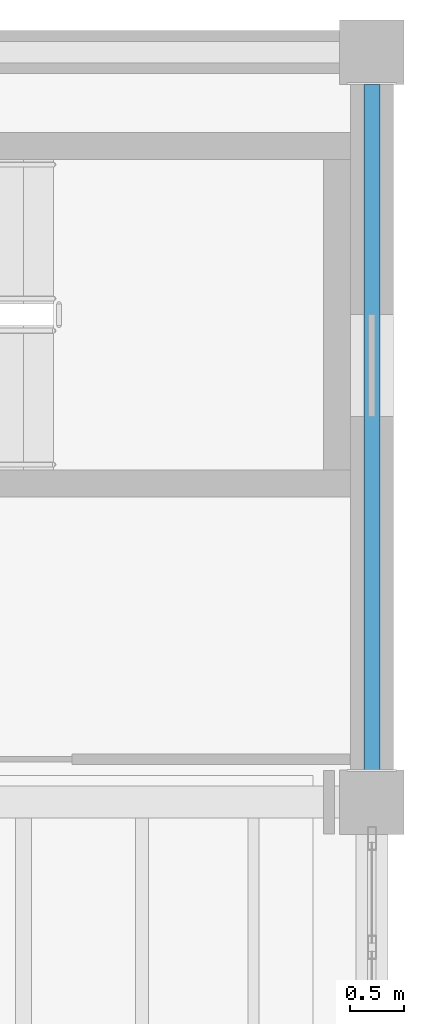
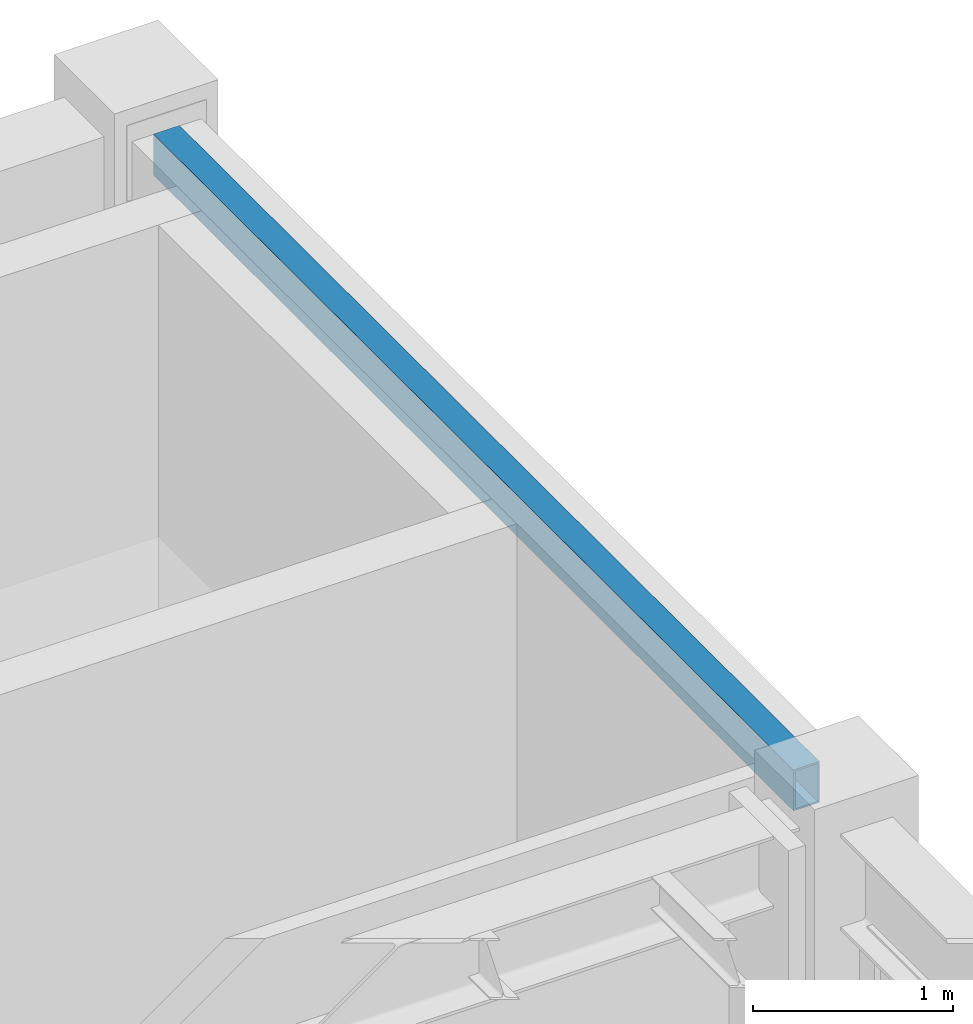
# One storey, part 43 of 77: 1 beam.
"""IFC4 building model written with IfcOpenShell, lengths in metres."""

from ifc_helpers import new_model, si_unit, direction, frame, origin, origin_2d, place, context, subcontext, project, spatial, hollow_rectangle, extrude, material, material_profile, profile_set, type_object, element, save


model = new_model("IFC4")

# Units and contexts
model_context = context("Model", 3, precision=1e-05, world=origin(), true_north=direction((0.0, 1.0)))
body_context = subcontext(model_context, "Body", "Model", "MODEL_VIEW")
ifc_project = project(units=[si_unit("LENGTHUNIT", "METRE"), si_unit("AREAUNIT", "SQUARE_METRE"), si_unit("VOLUMEUNIT", "CUBIC_METRE"), si_unit("PLANEANGLEUNIT", "RADIAN"), si_unit("MASSUNIT", "GRAM", prefix="KILO"), si_unit("THERMODYNAMICTEMPERATUREUNIT", "KELVIN"), si_unit("POWERUNIT", "WATT")], contexts=[model_context])

# Site, building, storey
site_placement = place(None, origin())
site = spatial("IfcSite", under=ifc_project, at=site_placement, CompositionType="ELEMENT")
building_placement = place(site_placement, origin())
building = spatial("IfcBuilding", under=site, at=building_placement, Name="Zhenchuan Central Fire Station", CompositionType="ELEMENT")
storey_placement = place(building_placement, frame((0.0, 0.0, 10.050048828125)))
storey = spatial("IfcBuildingStorey", under=building, at=storey_placement, Name="L03", CompositionType="ELEMENT", Elevation=10.050048828125)

# Beam
ifc_material = material(Name="Steel Q355B", Category="steel")
ifc_material_profile = material_profile(ifc_material, hollow_rectangle(XDim=0.14990234375, YDim=0.25, WallThickness=0.010009765625, at=origin_2d()), Name="RHS 250x150x10")
ifc_profile_set = profile_set([ifc_material_profile], Name="Steel Q355B")
beam_type = type_object("IfcBeamType", Name="SP-RHS250", PredefinedType="SPANDREL", material=ifc_profile_set)
beam_placement = place(storey_placement, frame((161.0, 49.800048828125, 3.875), z_axis=(0.0, 1.0, 0.0), x_axis=(-1.0, 0.0, 0.0)))
element("IfcBeam", 1, at=beam_placement, inside=storey, type_object=beam_type, Name="L04 Girder NS 0430", PredefinedType="SPANDREL", context=body_context, shape_type="SweptSolid", body=[
    extrude(hollow_rectangle(XDim=0.14990234375, YDim=0.25, WallThickness=0.010009765625, at=origin_2d()), origin(), (0.0, 0.0, 1.0), 6.39990234375),
])

save(model, "model.ifc")
